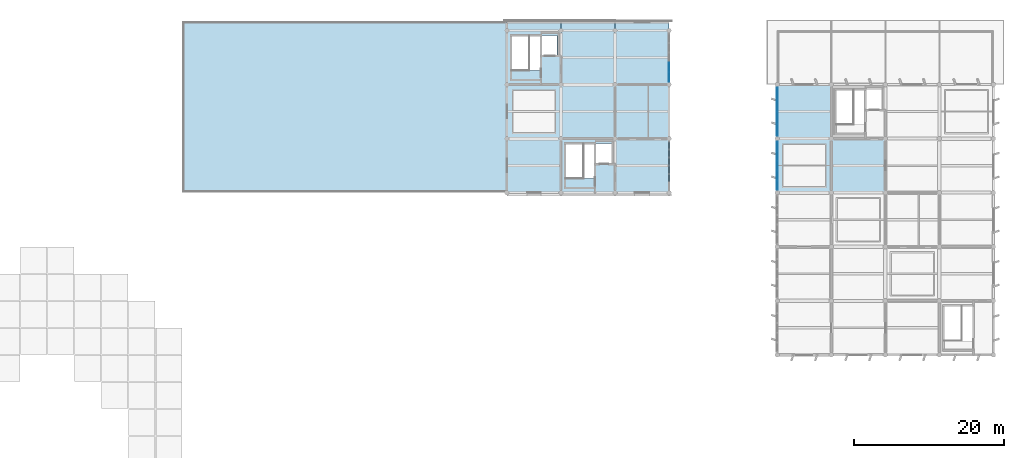
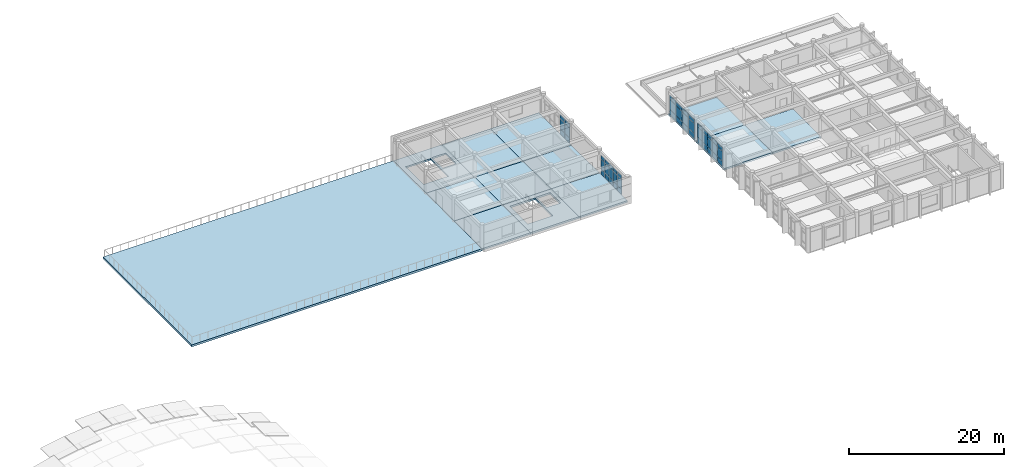
# One storey, part 10 of 16: 48 plates, 13 slabs, 4 elements without a shape of their own.
"""IFC4 building model written with IfcOpenShell, lengths in metres."""

from ifc_helpers import new_model, si_unit, direction, frame, origin, origin_2d, place, context, subcontext, project, spatial, polyline, rectangle, outline, extrude, material, layer, layer_set, type_object, element, aggregate, save


model = new_model("IFC4")

# Units and contexts
model_context = context("Model", 3, precision=1e-05, world=origin(), true_north=direction((0.0, 1.0)))
body_context = subcontext(model_context, "Body", "Model", "MODEL_VIEW")
ifc_project = project(units=[si_unit("LENGTHUNIT", "METRE"), si_unit("AREAUNIT", "SQUARE_METRE"), si_unit("VOLUMEUNIT", "CUBIC_METRE"), si_unit("PLANEANGLEUNIT", "RADIAN"), si_unit("MASSUNIT", "GRAM", prefix="KILO")], contexts=[model_context])

# Site, building, storey
site_placement = place(None, origin())
site = spatial("IfcSite", under=ifc_project, at=site_placement, CompositionType="ELEMENT")
building_placement = place(site_placement, origin())
building = spatial("IfcBuilding", under=site, at=building_placement, Name="Kavelor Marine Aquarium", CompositionType="ELEMENT")
storey_placement = place(building_placement, frame((0.0, 0.0, 21.60009765625)))
storey = spatial("IfcBuildingStorey", under=building, at=storey_placement, Name="L05", CompositionType="ELEMENT", Elevation=21.60009765625)

# Curtain wall, plates
ifc_material_1 = material(Name="Thermally Broken Aluminium and Low-E Glass", Category="aluminium")
ifc_layer_1 = layer(ifc_material_1, 0.179931640625)
ifc_layer_set_1 = layer_set([ifc_layer_1], Name="CW-SYS5")
curtain_wall_type_1 = type_object("IfcCurtainWallType", Name="CW-SYS5", PredefinedType="USERDEFINED", material=ifc_layer_set_1)
curtain_wall_1_placement = place(storey_placement, origin())
curtain_wall_1 = element("IfcCurtainWall", 1, at=curtain_wall_1_placement, inside=storey, type_object=curtain_wall_type_1, Name="cw:y:L05:14_12", ObjectType="Curtain Wall", PredefinedType="USERDEFINED")
ifc_material_2 = material(Name="Solar-Control Double Low-E Glazing", Category="glass")
ifc_layer_2 = layer(ifc_material_2, 0.08203125)
ifc_layer_set_2 = layer_set([ifc_layer_2], Name="CWP-29")
plate_type_1 = type_object("IfcPlateType", Name="CWP-29", PredefinedType="CURTAIN_PANEL", material=ifc_layer_set_2)
plate_1_placement = place(storey_placement, frame((104.0, 91.172607421875, 0.059814453125), z_axis=(0.0, 0.0, 1.0), x_axis=(0.0, 1.0, 0.0)))
plate_1 = element("IfcPlate", 2, at=plate_1_placement, type_object=plate_type_1, Name="CW05 panel 2.1", PredefinedType="CURTAIN_PANEL", context=body_context, shape_type="SweptSolid", body=[
    extrude(rectangle(XDim=1.02001953125, YDim=0.08203125, at=origin_2d()), origin(), (0.0, 0.0, 1.0), 0.81005859375),
])
plate_2_placement = place(storey_placement, frame((104.0, 91.172607421875, 0.9296875), z_axis=(0.0, 0.0, 1.0), x_axis=(0.0, 1.0, 0.0)))
plate_2 = element("IfcPlate", 3, at=plate_2_placement, type_object=plate_type_1, Name="CW05 panel 2.2", PredefinedType="CURTAIN_PANEL", context=body_context, shape_type="SweptSolid", body=[
    extrude(rectangle(XDim=1.02001953125, YDim=0.08203125, at=origin_2d()), origin(), (0.0, 0.0, 1.0), 1.510009765625),
])
plate_3_placement = place(storey_placement, frame((104.0, 91.172607421875, 2.499755859375), z_axis=(0.0, 0.0, 1.0), x_axis=(0.0, 1.0, 0.0)))
plate_3 = element("IfcPlate", 4, at=plate_3_placement, type_object=plate_type_1, Name="CW05 panel 2.3", PredefinedType="CURTAIN_PANEL", context=body_context, shape_type="SweptSolid", body=[
    extrude(rectangle(XDim=1.02001953125, YDim=0.08203125, at=origin_2d()), origin(), (0.0, 0.0, 1.0), 0.56005859375),
])
plate_4_placement = place(storey_placement, frame((104.0, 92.257568359375, 0.059814453125), z_axis=(0.0, 0.0, 1.0), x_axis=(0.0, 1.0, 0.0)))
plate_4 = element("IfcPlate", 5, at=plate_4_placement, type_object=plate_type_1, Name="CW05 panel 3.1", PredefinedType="CURTAIN_PANEL", context=body_context, shape_type="SweptSolid", body=[
    extrude(rectangle(XDim=1.02001953125, YDim=0.08203125, at=origin_2d()), origin(), (0.0, 0.0, 1.0), 0.81005859375),
])
plate_5_placement = place(storey_placement, frame((104.0, 92.257568359375, 0.9296875), z_axis=(0.0, 0.0, 1.0), x_axis=(0.0, 1.0, 0.0)))
plate_5 = element("IfcPlate", 6, at=plate_5_placement, type_object=plate_type_1, Name="CW05 panel 3.2", PredefinedType="CURTAIN_PANEL", context=body_context, shape_type="SweptSolid", body=[
    extrude(rectangle(XDim=1.02001953125, YDim=0.08203125, at=origin_2d()), origin(), (0.0, 0.0, 1.0), 1.510009765625),
])
plate_6_placement = place(storey_placement, frame((104.0, 92.257568359375, 2.499755859375), z_axis=(0.0, 0.0, 1.0), x_axis=(0.0, 1.0, 0.0)))
plate_6 = element("IfcPlate", 7, at=plate_6_placement, type_object=plate_type_1, Name="CW05 panel 3.3", PredefinedType="CURTAIN_PANEL", context=body_context, shape_type="SweptSolid", body=[
    extrude(rectangle(XDim=1.02001953125, YDim=0.08203125, at=origin_2d()), origin(), (0.0, 0.0, 1.0), 0.56005859375),
])
plate_7_placement = place(storey_placement, frame((104.0, 93.342529296875, 0.059814453125), z_axis=(0.0, 0.0, 1.0), x_axis=(0.0, 1.0, 0.0)))
plate_7 = element("IfcPlate", 8, at=plate_7_placement, type_object=plate_type_1, Name="CW05 panel 4.1", PredefinedType="CURTAIN_PANEL", context=body_context, shape_type="SweptSolid", body=[
    extrude(rectangle(XDim=1.02001953125, YDim=0.08203125, at=origin_2d()), origin(), (0.0, 0.0, 1.0), 0.81005859375),
])
plate_8_placement = place(storey_placement, frame((104.0, 93.342529296875, 0.9296875), z_axis=(0.0, 0.0, 1.0), x_axis=(0.0, 1.0, 0.0)))
plate_8 = element("IfcPlate", 9, at=plate_8_placement, type_object=plate_type_1, Name="CW05 panel 4.2", PredefinedType="CURTAIN_PANEL", context=body_context, shape_type="SweptSolid", body=[
    extrude(rectangle(XDim=1.02001953125, YDim=0.08203125, at=origin_2d()), origin(), (0.0, 0.0, 1.0), 1.510009765625),
])
plate_9_placement = place(storey_placement, frame((104.0, 93.342529296875, 2.499755859375), z_axis=(0.0, 0.0, 1.0), x_axis=(0.0, 1.0, 0.0)))
plate_9 = element("IfcPlate", 10, at=plate_9_placement, type_object=plate_type_1, Name="CW05 panel 4.3", PredefinedType="CURTAIN_PANEL", context=body_context, shape_type="SweptSolid", body=[
    extrude(rectangle(XDim=1.02001953125, YDim=0.08203125, at=origin_2d()), origin(), (0.0, 0.0, 1.0), 0.56005859375),
])
plate_10_placement = place(storey_placement, frame((104.0, 94.427490234375, 0.059814453125), z_axis=(0.0, 0.0, 1.0), x_axis=(0.0, 1.0, 0.0)))
plate_10 = element("IfcPlate", 11, at=plate_10_placement, type_object=plate_type_1, Name="CW05 panel 5.1", PredefinedType="CURTAIN_PANEL", context=body_context, shape_type="SweptSolid", body=[
    extrude(rectangle(XDim=1.02001953125, YDim=0.08203125, at=origin_2d()), origin(), (0.0, 0.0, 1.0), 0.81005859375),
])
plate_11_placement = place(storey_placement, frame((104.0, 94.427490234375, 0.9296875), z_axis=(0.0, 0.0, 1.0), x_axis=(0.0, 1.0, 0.0)))
plate_11 = element("IfcPlate", 12, at=plate_11_placement, type_object=plate_type_1, Name="CW05 panel 5.2", PredefinedType="CURTAIN_PANEL", context=body_context, shape_type="SweptSolid", body=[
    extrude(rectangle(XDim=1.02001953125, YDim=0.08203125, at=origin_2d()), origin(), (0.0, 0.0, 1.0), 1.510009765625),
])
plate_12_placement = place(storey_placement, frame((104.0, 94.427490234375, 2.499755859375), z_axis=(0.0, 0.0, 1.0), x_axis=(0.0, 1.0, 0.0)))
plate_12 = element("IfcPlate", 13, at=plate_12_placement, type_object=plate_type_1, Name="CW05 panel 5.3", PredefinedType="CURTAIN_PANEL", context=body_context, shape_type="SweptSolid", body=[
    extrude(rectangle(XDim=1.02001953125, YDim=0.08203125, at=origin_2d()), origin(), (0.0, 0.0, 1.0), 0.56005859375),
])
plate_13_placement = place(storey_placement, frame((104.0, 95.496337890625, 0.059814453125), z_axis=(0.0, 0.0, 1.0), x_axis=(0.0, 1.0, 0.0)))
plate_13 = element("IfcPlate", 14, at=plate_13_placement, type_object=plate_type_1, Name="CW05 panel 6.1", PredefinedType="CURTAIN_PANEL", context=body_context, shape_type="SweptSolid", body=[
    extrude(rectangle(XDim=0.987548828125, YDim=0.08203125, at=origin_2d()), origin(), (0.0, 0.0, 1.0), 0.81005859375),
])
plate_14_placement = place(storey_placement, frame((104.0, 95.496337890625, 0.9296875), z_axis=(0.0, 0.0, 1.0), x_axis=(0.0, 1.0, 0.0)))
plate_14 = element("IfcPlate", 15, at=plate_14_placement, type_object=plate_type_1, Name="CW05 panel 6.2", PredefinedType="CURTAIN_PANEL", context=body_context, shape_type="SweptSolid", body=[
    extrude(rectangle(XDim=0.987548828125, YDim=0.08203125, at=origin_2d()), origin(), (0.0, 0.0, 1.0), 1.510009765625),
])
plate_15_placement = place(storey_placement, frame((104.0, 95.496337890625, 2.499755859375), z_axis=(0.0, 0.0, 1.0), x_axis=(0.0, 1.0, 0.0)))
plate_15 = element("IfcPlate", 16, at=plate_15_placement, type_object=plate_type_1, Name="CW05 panel 6.3", PredefinedType="CURTAIN_PANEL", context=body_context, shape_type="SweptSolid", body=[
    extrude(rectangle(XDim=0.987548828125, YDim=0.08203125, at=origin_2d()), origin(), (0.0, 0.0, 1.0), 0.56005859375),
])
aggregate(curtain_wall_1, [plate_1, plate_2, plate_3, plate_4, plate_5, plate_6, plate_7, plate_8, plate_9, plate_10, plate_11, plate_12, plate_13, plate_14, plate_15])

ifc_material_3 = material(Name="Thermally Broken Aluminium and Low-E Glass", Category="aluminium")
ifc_layer_3 = layer(ifc_material_3, 0.18798828125)
ifc_layer_set_3 = layer_set([ifc_layer_3], Name="CW-SYS6")
curtain_wall_type_2 = type_object("IfcCurtainWallType", Name="CW-SYS6", PredefinedType="USERDEFINED", material=ifc_layer_set_3)
curtain_wall_2_placement = place(storey_placement, origin())
curtain_wall_2 = element("IfcCurtainWall", 17, at=curtain_wall_2_placement, inside=storey, type_object=curtain_wall_type_2, Name="cw:y:L05:14_14", ObjectType="Curtain Wall", PredefinedType="USERDEFINED")
ifc_material_4 = material(Name="Solar-Control Double Low-E Glazing", Category="glass")
ifc_layer_4 = layer(ifc_material_4, 0.083984375)
ifc_layer_set_4 = layer_set([ifc_layer_4], Name="CWP-30")
plate_type_2 = type_object("IfcPlateType", Name="CWP-30", PredefinedType="CURTAIN_PANEL", material=ifc_layer_set_4)
plate_16_placement = place(storey_placement, frame((104.0, 104.611083984375, 0.074951171875), z_axis=(0.0, 0.0, 1.0), x_axis=(0.0, 1.0, 0.0)))
plate_16 = element("IfcPlate", 18, at=plate_16_placement, type_object=plate_type_2, Name="CW06 panel 1.1", PredefinedType="CURTAIN_PANEL", context=body_context, shape_type="SweptSolid", body=[
    extrude(rectangle(XDim=1.2119140625, YDim=0.083984375, at=origin_2d()), origin(), (0.0, 0.0, 1.0), 0.78759765625),
])
plate_17_placement = place(storey_placement, frame((104.0, 104.611083984375, 0.937255859375), z_axis=(0.0, 0.0, 1.0), x_axis=(0.0, 1.0, 0.0)))
plate_17 = element("IfcPlate", 19, at=plate_17_placement, type_object=plate_type_2, Name="CW06 panel 1.2", PredefinedType="CURTAIN_PANEL", context=body_context, shape_type="SweptSolid", body=[
    extrude(rectangle(XDim=1.2119140625, YDim=0.083984375, at=origin_2d()), origin(), (0.0, 0.0, 1.0), 1.4951171875),
])
plate_18_placement = place(storey_placement, frame((104.0, 104.611083984375, 2.50732421875), z_axis=(0.0, 0.0, 1.0), x_axis=(0.0, 1.0, 0.0)))
plate_18 = element("IfcPlate", 20, at=plate_18_placement, type_object=plate_type_2, Name="CW06 panel 1.3", PredefinedType="CURTAIN_PANEL", context=body_context, shape_type="SweptSolid", body=[
    extrude(rectangle(XDim=1.2119140625, YDim=0.083984375, at=origin_2d()), origin(), (0.0, 0.0, 1.0), 0.53759765625),
])
plate_19_placement = place(storey_placement, frame((104.0, 105.89794921875, 0.074951171875), z_axis=(0.0, 0.0, 1.0), x_axis=(0.0, 1.0, 0.0)))
plate_19 = element("IfcPlate", 21, at=plate_19_placement, type_object=plate_type_2, Name="CW06 panel 2.1", PredefinedType="CURTAIN_PANEL", context=body_context, shape_type="SweptSolid", body=[
    extrude(rectangle(XDim=1.241943359375, YDim=0.083984375, at=origin_2d()), origin(), (0.0, 0.0, 1.0), 0.78759765625),
])
plate_20_placement = place(storey_placement, frame((104.0, 105.89794921875, 0.937255859375), z_axis=(0.0, 0.0, 1.0), x_axis=(0.0, 1.0, 0.0)))
plate_20 = element("IfcPlate", 22, at=plate_20_placement, type_object=plate_type_2, Name="CW06 panel 2.2", PredefinedType="CURTAIN_PANEL", context=body_context, shape_type="SweptSolid", body=[
    extrude(rectangle(XDim=1.241943359375, YDim=0.083984375, at=origin_2d()), origin(), (0.0, 0.0, 1.0), 1.4951171875),
])
plate_21_placement = place(storey_placement, frame((104.0, 105.89794921875, 2.50732421875), z_axis=(0.0, 0.0, 1.0), x_axis=(0.0, 1.0, 0.0)))
plate_21 = element("IfcPlate", 23, at=plate_21_placement, type_object=plate_type_2, Name="CW06 panel 2.3", PredefinedType="CURTAIN_PANEL", context=body_context, shape_type="SweptSolid", body=[
    extrude(rectangle(XDim=1.241943359375, YDim=0.083984375, at=origin_2d()), origin(), (0.0, 0.0, 1.0), 0.53759765625),
])
aggregate(curtain_wall_2, [plate_16, plate_17, plate_18, plate_19, plate_20, plate_21])

ifc_material_5 = material(Name="Thermally Broken Aluminium and Low-E Glass", Category="aluminium")
ifc_layer_5 = layer(ifc_material_5, 0.219970703125)
ifc_layer_set_5 = layer_set([ifc_layer_5], Name="CW-SYS10")
curtain_wall_type_3 = type_object("IfcCurtainWallType", Name="CW-SYS10", PredefinedType="USERDEFINED", material=ifc_layer_set_5)
curtain_wall_3_placement = place(storey_placement, origin())
curtain_wall_3 = element("IfcCurtainWall", 24, at=curtain_wall_3_placement, inside=storey, type_object=curtain_wall_type_3, Name="cw:y:L05:16_12", ObjectType="Curtain Wall", PredefinedType="USERDEFINED")
ifc_material_6 = material(Name="Laminated Cast Acrylic Viewing Glazing", Category="glass")
ifc_layer_6 = layer(ifc_material_6, 0.092041015625)
ifc_layer_set_6 = layer_set([ifc_layer_6], Name="CWP-34")
plate_type_3 = type_object("IfcPlateType", Name="CWP-34", PredefinedType="CURTAIN_PANEL", material=ifc_layer_set_6)
plate_22_placement = place(storey_placement, frame((118.39990234375, 95.38525390625, 0.059814453125), z_axis=(0.0, 0.0, 1.0), x_axis=(0.0, -1.0, 0.0)))
plate_22 = element("IfcPlate", 25, at=plate_22_placement, type_object=plate_type_3, Name="CW10 panel 1.1", PredefinedType="CURTAIN_PANEL", context=body_context, shape_type="SweptSolid", body=[
    extrude(rectangle(XDim=1.189453125, YDim=0.092041015625, at=origin_2d()), origin(), (0.0, 0.0, 1.0), 0.81005859375),
])
plate_23_placement = place(storey_placement, frame((118.39990234375, 95.38525390625, 0.9296875), z_axis=(0.0, 0.0, 1.0), x_axis=(0.0, -1.0, 0.0)))
plate_23 = element("IfcPlate", 26, at=plate_23_placement, type_object=plate_type_3, Name="CW10 panel 1.2", PredefinedType="CURTAIN_PANEL", context=body_context, shape_type="SweptSolid", body=[
    extrude(rectangle(XDim=1.189453125, YDim=0.092041015625, at=origin_2d()), origin(), (0.0, 0.0, 1.0), 1.510009765625),
])
plate_24_placement = place(storey_placement, frame((118.39990234375, 95.38525390625, 2.499755859375), z_axis=(0.0, 0.0, 1.0), x_axis=(0.0, -1.0, 0.0)))
plate_24 = element("IfcPlate", 27, at=plate_24_placement, type_object=plate_type_3, Name="CW10 panel 1.3", PredefinedType="CURTAIN_PANEL", context=body_context, shape_type="SweptSolid", body=[
    extrude(rectangle(XDim=1.189453125, YDim=0.092041015625, at=origin_2d()), origin(), (0.0, 0.0, 1.0), 0.56005859375),
])
plate_25_placement = place(storey_placement, frame((118.39990234375, 94.10205078125, 0.059814453125), z_axis=(0.0, 0.0, 1.0), x_axis=(0.0, -1.0, 0.0)))
plate_25 = element("IfcPlate", 28, at=plate_25_placement, type_object=plate_type_3, Name="CW10 panel 2.1", PredefinedType="CURTAIN_PANEL", context=body_context, shape_type="SweptSolid", body=[
    extrude(rectangle(XDim=1.22705078125, YDim=0.092041015625, at=origin_2d()), origin(), (0.0, 0.0, 1.0), 0.81005859375),
])
plate_26_placement = place(storey_placement, frame((118.39990234375, 94.10205078125, 0.9296875), z_axis=(0.0, 0.0, 1.0), x_axis=(0.0, -1.0, 0.0)))
plate_26 = element("IfcPlate", 29, at=plate_26_placement, type_object=plate_type_3, Name="CW10 panel 2.2", PredefinedType="CURTAIN_PANEL", context=body_context, shape_type="SweptSolid", body=[
    extrude(rectangle(XDim=1.22705078125, YDim=0.092041015625, at=origin_2d()), origin(), (0.0, 0.0, 1.0), 1.510009765625),
])
plate_27_placement = place(storey_placement, frame((118.39990234375, 94.10205078125, 2.499755859375), z_axis=(0.0, 0.0, 1.0), x_axis=(0.0, -1.0, 0.0)))
plate_27 = element("IfcPlate", 30, at=plate_27_placement, type_object=plate_type_3, Name="CW10 panel 2.3", PredefinedType="CURTAIN_PANEL", context=body_context, shape_type="SweptSolid", body=[
    extrude(rectangle(XDim=1.22705078125, YDim=0.092041015625, at=origin_2d()), origin(), (0.0, 0.0, 1.0), 0.56005859375),
])
plate_28_placement = place(storey_placement, frame((118.39990234375, 92.800048828125, 0.059814453125), z_axis=(0.0, 0.0, 1.0), x_axis=(0.0, -1.0, 0.0)))
plate_28 = element("IfcPlate", 31, at=plate_28_placement, type_object=plate_type_3, Name="CW10 panel 3.1", PredefinedType="CURTAIN_PANEL", context=body_context, shape_type="SweptSolid", body=[
    extrude(rectangle(XDim=1.22705078125, YDim=0.092041015625, at=origin_2d()), origin(), (0.0, 0.0, 1.0), 0.81005859375),
])
plate_29_placement = place(storey_placement, frame((118.39990234375, 92.800048828125, 0.9296875), z_axis=(0.0, 0.0, 1.0), x_axis=(0.0, -1.0, 0.0)))
plate_29 = element("IfcPlate", 32, at=plate_29_placement, type_object=plate_type_3, Name="CW10 panel 3.2", PredefinedType="CURTAIN_PANEL", context=body_context, shape_type="SweptSolid", body=[
    extrude(rectangle(XDim=1.22705078125, YDim=0.092041015625, at=origin_2d()), origin(), (0.0, 0.0, 1.0), 1.510009765625),
])
plate_30_placement = place(storey_placement, frame((118.39990234375, 92.800048828125, 2.499755859375), z_axis=(0.0, 0.0, 1.0), x_axis=(0.0, -1.0, 0.0)))
plate_30 = element("IfcPlate", 33, at=plate_30_placement, type_object=plate_type_3, Name="CW10 panel 3.3", PredefinedType="CURTAIN_PANEL", context=body_context, shape_type="SweptSolid", body=[
    extrude(rectangle(XDim=1.22705078125, YDim=0.092041015625, at=origin_2d()), origin(), (0.0, 0.0, 1.0), 0.56005859375),
])
plate_31_placement = place(storey_placement, frame((118.39990234375, 91.498046875, 0.059814453125), z_axis=(0.0, 0.0, 1.0), x_axis=(0.0, -1.0, 0.0)))
plate_31 = element("IfcPlate", 34, at=plate_31_placement, type_object=plate_type_3, Name="CW10 panel 4.1", PredefinedType="CURTAIN_PANEL", context=body_context, shape_type="SweptSolid", body=[
    extrude(rectangle(XDim=1.22705078125, YDim=0.092041015625, at=origin_2d()), origin(), (0.0, 0.0, 1.0), 0.81005859375),
])
plate_32_placement = place(storey_placement, frame((118.39990234375, 91.498046875, 0.9296875), z_axis=(0.0, 0.0, 1.0), x_axis=(0.0, -1.0, 0.0)))
plate_32 = element("IfcPlate", 35, at=plate_32_placement, type_object=plate_type_3, Name="CW10 panel 4.2", PredefinedType="CURTAIN_PANEL", context=body_context, shape_type="SweptSolid", body=[
    extrude(rectangle(XDim=1.22705078125, YDim=0.092041015625, at=origin_2d()), origin(), (0.0, 0.0, 1.0), 1.510009765625),
])
plate_33_placement = place(storey_placement, frame((118.39990234375, 91.498046875, 2.499755859375), z_axis=(0.0, 0.0, 1.0), x_axis=(0.0, -1.0, 0.0)))
plate_33 = element("IfcPlate", 36, at=plate_33_placement, type_object=plate_type_3, Name="CW10 panel 4.3", PredefinedType="CURTAIN_PANEL", context=body_context, shape_type="SweptSolid", body=[
    extrude(rectangle(XDim=1.22705078125, YDim=0.092041015625, at=origin_2d()), origin(), (0.0, 0.0, 1.0), 0.56005859375),
])
plate_34_placement = place(storey_placement, frame((118.39990234375, 90.21484375, 0.059814453125), z_axis=(0.0, 0.0, 1.0), x_axis=(0.0, -1.0, 0.0)))
plate_34 = element("IfcPlate", 37, at=plate_34_placement, type_object=plate_type_3, Name="CW10 panel 5.1", PredefinedType="CURTAIN_PANEL", context=body_context, shape_type="SweptSolid", body=[
    extrude(rectangle(XDim=1.189453125, YDim=0.092041015625, at=origin_2d()), origin(), (0.0, 0.0, 1.0), 0.81005859375),
])
plate_35_placement = place(storey_placement, frame((118.39990234375, 90.21484375, 0.9296875), z_axis=(0.0, 0.0, 1.0), x_axis=(0.0, -1.0, 0.0)))
plate_35 = element("IfcPlate", 38, at=plate_35_placement, type_object=plate_type_3, Name="CW10 panel 5.2", PredefinedType="CURTAIN_PANEL", context=body_context, shape_type="SweptSolid", body=[
    extrude(rectangle(XDim=1.189453125, YDim=0.092041015625, at=origin_2d()), origin(), (0.0, 0.0, 1.0), 1.510009765625),
])
plate_36_placement = place(storey_placement, frame((118.39990234375, 90.21484375, 2.499755859375), z_axis=(0.0, 0.0, 1.0), x_axis=(0.0, -1.0, 0.0)))
plate_36 = element("IfcPlate", 39, at=plate_36_placement, type_object=plate_type_3, Name="CW10 panel 5.3", PredefinedType="CURTAIN_PANEL", context=body_context, shape_type="SweptSolid", body=[
    extrude(rectangle(XDim=1.189453125, YDim=0.092041015625, at=origin_2d()), origin(), (0.0, 0.0, 1.0), 0.56005859375),
])
aggregate(curtain_wall_3, [plate_22, plate_23, plate_24, plate_25, plate_26, plate_27, plate_28, plate_29, plate_30, plate_31, plate_32, plate_33, plate_34, plate_35, plate_36])

ifc_material_7 = material(Name="Thermally Broken Aluminium and Low-E Glass", Category="aluminium")
ifc_layer_7 = layer(ifc_material_7, 0.22802734375)
ifc_layer_set_7 = layer_set([ifc_layer_7], Name="CW-SYS11")
curtain_wall_type_4 = type_object("IfcCurtainWallType", Name="CW-SYS11", PredefinedType="USERDEFINED", material=ifc_layer_set_7)
curtain_wall_4_placement = place(storey_placement, origin())
curtain_wall_4 = element("IfcCurtainWall", 40, at=curtain_wall_4_placement, inside=storey, type_object=curtain_wall_type_4, Name="cw:y:L05:16_13", ObjectType="Curtain Wall", PredefinedType="USERDEFINED")
ifc_material_8 = material(Name="Laminated Cast Acrylic Viewing Glazing", Category="glass")
ifc_layer_8 = layer(ifc_material_8, 0.093994140625)
ifc_layer_set_8 = layer_set([ifc_layer_8], Name="CWP-35")
plate_type_4 = type_object("IfcPlateType", Name="CWP-35", PredefinedType="CURTAIN_PANEL", material=ifc_layer_set_8)
plate_37_placement = place(storey_placement, frame((118.39990234375, 102.425048828125, 0.059814453125), z_axis=(0.0, 0.0, 1.0), x_axis=(0.0, -1.0, 0.0)))
plate_37 = element("IfcPlate", 41, at=plate_37_placement, type_object=plate_type_4, Name="CW11 panel 1.1", PredefinedType="CURTAIN_PANEL", context=body_context, shape_type="SweptSolid", body=[
    extrude(rectangle(XDim=1.530029296875, YDim=0.093994140625, at=origin_2d()), origin(), (0.0, 0.0, 1.0), 0.81005859375),
])
plate_38_placement = place(storey_placement, frame((118.39990234375, 102.425048828125, 0.9296875), z_axis=(0.0, 0.0, 1.0), x_axis=(0.0, -1.0, 0.0)))
plate_38 = element("IfcPlate", 42, at=plate_38_placement, type_object=plate_type_4, Name="CW11 panel 1.2", PredefinedType="CURTAIN_PANEL", context=body_context, shape_type="SweptSolid", body=[
    extrude(rectangle(XDim=1.530029296875, YDim=0.093994140625, at=origin_2d()), origin(), (0.0, 0.0, 1.0), 1.510009765625),
])
plate_39_placement = place(storey_placement, frame((118.39990234375, 102.425048828125, 2.499755859375), z_axis=(0.0, 0.0, 1.0), x_axis=(0.0, -1.0, 0.0)))
plate_39 = element("IfcPlate", 43, at=plate_39_placement, type_object=plate_type_4, Name="CW11 panel 1.3", PredefinedType="CURTAIN_PANEL", context=body_context, shape_type="SweptSolid", body=[
    extrude(rectangle(XDim=1.530029296875, YDim=0.093994140625, at=origin_2d()), origin(), (0.0, 0.0, 1.0), 0.56005859375),
])
plate_40_placement = place(storey_placement, frame((118.39990234375, 100.813720703125, 0.059814453125), z_axis=(0.0, 0.0, 1.0), x_axis=(0.0, -1.0, 0.0)))
plate_40 = element("IfcPlate", 44, at=plate_40_placement, type_object=plate_type_4, Name="CW11 panel 2.1", PredefinedType="CURTAIN_PANEL", context=body_context, shape_type="SweptSolid", body=[
    extrude(rectangle(XDim=1.5625, YDim=0.093994140625, at=origin_2d()), origin(), (0.0, 0.0, 1.0), 0.81005859375),
])
plate_41_placement = place(storey_placement, frame((118.39990234375, 100.813720703125, 0.9296875), z_axis=(0.0, 0.0, 1.0), x_axis=(0.0, -1.0, 0.0)))
plate_41 = element("IfcPlate", 45, at=plate_41_placement, type_object=plate_type_4, Name="CW11 panel 2.2", PredefinedType="CURTAIN_PANEL", context=body_context, shape_type="SweptSolid", body=[
    extrude(rectangle(XDim=1.5625, YDim=0.093994140625, at=origin_2d()), origin(), (0.0, 0.0, 1.0), 1.510009765625),
])
plate_42_placement = place(storey_placement, frame((118.39990234375, 100.813720703125, 2.499755859375), z_axis=(0.0, 0.0, 1.0), x_axis=(0.0, -1.0, 0.0)))
plate_42 = element("IfcPlate", 46, at=plate_42_placement, type_object=plate_type_4, Name="CW11 panel 2.3", PredefinedType="CURTAIN_PANEL", context=body_context, shape_type="SweptSolid", body=[
    extrude(rectangle(XDim=1.5625, YDim=0.093994140625, at=origin_2d()), origin(), (0.0, 0.0, 1.0), 0.56005859375),
])
plate_43_placement = place(storey_placement, frame((118.39990234375, 99.186279296875, 0.059814453125), z_axis=(0.0, 0.0, 1.0), x_axis=(0.0, -1.0, 0.0)))
plate_43 = element("IfcPlate", 47, at=plate_43_placement, type_object=plate_type_4, Name="CW11 panel 3.1", PredefinedType="CURTAIN_PANEL", context=body_context, shape_type="SweptSolid", body=[
    extrude(rectangle(XDim=1.5625, YDim=0.093994140625, at=origin_2d()), origin(), (0.0, 0.0, 1.0), 0.81005859375),
])
plate_44_placement = place(storey_placement, frame((118.39990234375, 99.186279296875, 0.9296875), z_axis=(0.0, 0.0, 1.0), x_axis=(0.0, -1.0, 0.0)))
plate_44 = element("IfcPlate", 48, at=plate_44_placement, type_object=plate_type_4, Name="CW11 panel 3.2", PredefinedType="CURTAIN_PANEL", context=body_context, shape_type="SweptSolid", body=[
    extrude(rectangle(XDim=1.5625, YDim=0.093994140625, at=origin_2d()), origin(), (0.0, 0.0, 1.0), 1.510009765625),
])
plate_45_placement = place(storey_placement, frame((118.39990234375, 99.186279296875, 2.499755859375), z_axis=(0.0, 0.0, 1.0), x_axis=(0.0, -1.0, 0.0)))
plate_45 = element("IfcPlate", 49, at=plate_45_placement, type_object=plate_type_4, Name="CW11 panel 3.3", PredefinedType="CURTAIN_PANEL", context=body_context, shape_type="SweptSolid", body=[
    extrude(rectangle(XDim=1.5625, YDim=0.093994140625, at=origin_2d()), origin(), (0.0, 0.0, 1.0), 0.56005859375),
])
plate_46_placement = place(storey_placement, frame((118.39990234375, 97.574951171875, 0.059814453125), z_axis=(0.0, 0.0, 1.0), x_axis=(0.0, -1.0, 0.0)))
plate_46 = element("IfcPlate", 50, at=plate_46_placement, type_object=plate_type_4, Name="CW11 panel 4.1", PredefinedType="CURTAIN_PANEL", context=body_context, shape_type="SweptSolid", body=[
    extrude(rectangle(XDim=1.530029296875, YDim=0.093994140625, at=origin_2d()), origin(), (0.0, 0.0, 1.0), 0.81005859375),
])
plate_47_placement = place(storey_placement, frame((118.39990234375, 97.574951171875, 0.9296875), z_axis=(0.0, 0.0, 1.0), x_axis=(0.0, -1.0, 0.0)))
plate_47 = element("IfcPlate", 51, at=plate_47_placement, type_object=plate_type_4, Name="CW11 panel 4.2", PredefinedType="CURTAIN_PANEL", context=body_context, shape_type="SweptSolid", body=[
    extrude(rectangle(XDim=1.530029296875, YDim=0.093994140625, at=origin_2d()), origin(), (0.0, 0.0, 1.0), 1.510009765625),
])
plate_48_placement = place(storey_placement, frame((118.39990234375, 97.574951171875, 2.499755859375), z_axis=(0.0, 0.0, 1.0), x_axis=(0.0, -1.0, 0.0)))
plate_48 = element("IfcPlate", 52, at=plate_48_placement, type_object=plate_type_4, Name="CW11 panel 4.3", PredefinedType="CURTAIN_PANEL", context=body_context, shape_type="SweptSolid", body=[
    extrude(rectangle(XDim=1.530029296875, YDim=0.093994140625, at=origin_2d()), origin(), (0.0, 0.0, 1.0), 0.56005859375),
])
aggregate(curtain_wall_4, [plate_37, plate_38, plate_39, plate_40, plate_41, plate_42, plate_43, plate_44, plate_45, plate_46, plate_47, plate_48])

# Slabs
ifc_material_9 = material(Name="Concrete C40/50", Category="concrete")
ifc_layer_9 = layer(ifc_material_9, 0.280029296875)
ifc_layer_set_9 = layer_set([ifc_layer_9], Name="SL-FL2")
slab_type_1 = type_object("IfcSlabType", Name="SL-FL2", PredefinedType="FLOOR", material=ifc_layer_set_9)
slab_1_placement = place(storey_placement, frame((0.0, 0.0, -0.280029296875)))
element("IfcSlab", 53, at=slab_1_placement, inside=storey, type_object=slab_type_1, Name="slab:L05:12_12", PredefinedType="FLOOR", context=body_context, shape_type="SweptSolid", body=[
    extrude(outline(polyline([(89.60009765625, 89.199951171875), (96.800048828125, 89.199951171875), (96.800048828125, 96.39990234375), (89.60009765625, 96.39990234375), (89.60009765625, 89.199951171875)]), holes=[polyline([(90.280029296875, 91.0830078125), (94.0, 91.0830078125), (94.0, 95.669921875), (90.280029296875, 95.669921875), (90.280029296875, 91.0830078125)]), polyline([(94.260009765625, 93.050048828125), (96.300048828125, 93.050048828125), (96.300048828125, 95.75), (94.199951171875, 95.75), (94.260009765625, 93.050048828125)])]), origin(), (0.0, 0.0, 1.0), 0.280029296875),
])
slab_2_placement = place(storey_placement, frame((0.0, 0.0, -0.280029296875)))
element("IfcSlab", 54, at=slab_2_placement, inside=storey, type_object=slab_type_1, Name="slab:L05:12_13", PredefinedType="FLOOR", context=body_context, shape_type="SweptSolid", body=[
    extrude(outline(polyline([(89.60009765625, 96.39990234375), (96.800048828125, 96.39990234375), (96.800048828125, 103.60009765625), (89.60009765625, 103.60009765625), (89.60009765625, 96.39990234375)])), origin(), (0.0, 0.0, 1.0), 0.280029296875),
])
slab_3_placement = place(storey_placement, frame((0.0, 0.0, -0.280029296875)))
element("IfcSlab", 55, at=slab_3_placement, inside=storey, type_object=slab_type_1, Name="slab:L05:12_14", PredefinedType="FLOOR", context=body_context, shape_type="SweptSolid", body=[
    extrude(outline(polyline([(89.60009765625, 103.60009765625), (96.800048828125, 103.60009765625), (96.800048828125, 112.0400390625), (89.60009765625, 112.0400390625), (89.60009765625, 103.60009765625)])), origin(), (0.0, 0.0, 1.0), 0.280029296875),
])
slab_4_placement = place(storey_placement, frame((0.0, 0.0, -0.280029296875)))
element("IfcSlab", 56, at=slab_4_placement, inside=storey, type_object=slab_type_1, Name="slab:L05:16_12", PredefinedType="FLOOR", context=body_context, shape_type="SweptSolid", body=[
    extrude(outline(polyline([(118.39990234375, 89.199951171875), (125.60009765625, 89.199951171875), (125.60009765625, 96.39990234375), (118.39990234375, 96.39990234375), (118.39990234375, 89.199951171875)])), origin(), (0.0, 0.0, 1.0), 0.280029296875),
])
slab_5_placement = place(storey_placement, frame((0.0, 0.0, -0.280029296875)))
element("IfcSlab", 57, at=slab_5_placement, inside=storey, type_object=slab_type_1, Name="slab:L05:16_13", PredefinedType="FLOOR", context=body_context, shape_type="SweptSolid", body=[
    extrude(outline(polyline([(118.39990234375, 96.39990234375), (125.60009765625, 96.39990234375), (125.60009765625, 103.60009765625), (118.39990234375, 103.60009765625), (118.39990234375, 96.39990234375)])), origin(), (0.0, 0.0, 1.0), 0.280029296875),
])
ifc_material_10 = material(Name="Concrete C40/50", Category="concrete")
ifc_layer_10 = layer(ifc_material_10, 0.260009765625)
ifc_layer_set_10 = layer_set([ifc_layer_10], Name="SL-FL3")
slab_type_2 = type_object("IfcSlabType", Name="SL-FL3", PredefinedType="FLOOR", material=ifc_layer_set_10)
slab_6_placement = place(storey_placement, frame((0.0, 0.0, -0.260009765625)))
element("IfcSlab", 58, at=slab_6_placement, inside=storey, type_object=slab_type_2, Name="slab:L05:11_12", PredefinedType="FLOOR", context=body_context, shape_type="SweptSolid", body=[
    extrude(outline(polyline([(82.39990234375, 89.199951171875), (89.60009765625, 89.199951171875), (89.60009765625, 96.39990234375), (82.39990234375, 96.39990234375), (82.39990234375, 89.199951171875)])), origin(), (0.0, 0.0, 1.0), 0.260009765625),
])
slab_7_placement = place(storey_placement, frame((0.0, 0.0, -0.260009765625)))
element("IfcSlab", 59, at=slab_7_placement, inside=storey, type_object=slab_type_2, Name="slab:L05:11_13", PredefinedType="FLOOR", context=body_context, shape_type="SweptSolid", body=[
    extrude(outline(polyline([(82.39990234375, 96.39990234375), (89.60009765625, 96.39990234375), (89.60009765625, 103.60009765625), (82.39990234375, 103.60009765625), (82.39990234375, 96.39990234375)])), origin(), (0.0, 0.0, 1.0), 0.260009765625),
])
slab_8_placement = place(storey_placement, frame((0.0, 0.0, -0.260009765625)))
element("IfcSlab", 60, at=slab_8_placement, inside=storey, type_object=slab_type_2, Name="slab:L05:11_14", PredefinedType="FLOOR", context=body_context, shape_type="SweptSolid", body=[
    extrude(outline(polyline([(82.39990234375, 103.60009765625), (89.60009765625, 103.60009765625), (89.60009765625, 112.0400390625), (82.39990234375, 112.0400390625), (82.39990234375, 103.60009765625)]), holes=[polyline([(83.080078125, 105.48291015625), (86.800048828125, 105.48291015625), (86.800048828125, 110.070068359375), (83.080078125, 110.070068359375), (83.080078125, 105.48291015625)]), polyline([(87.06005859375, 107.449951171875), (89.10009765625, 107.449951171875), (89.10009765625, 110.14990234375), (87.0, 110.14990234375), (87.06005859375, 107.449951171875)])]), origin(), (0.0, 0.0, 1.0), 0.260009765625),
])
slab_9_placement = place(storey_placement, frame((0.0, 0.0, -0.260009765625)))
element("IfcSlab", 61, at=slab_9_placement, inside=storey, type_object=slab_type_2, Name="slab:L05:13_12", PredefinedType="FLOOR", context=body_context, shape_type="SweptSolid", body=[
    extrude(outline(polyline([(96.800048828125, 89.199951171875), (104.0, 89.199951171875), (104.0, 96.39990234375), (96.800048828125, 96.39990234375), (96.800048828125, 89.199951171875)])), origin(), (0.0, 0.0, 1.0), 0.260009765625),
])
slab_10_placement = place(storey_placement, frame((0.0, 0.0, -0.260009765625)))
element("IfcSlab", 62, at=slab_10_placement, inside=storey, type_object=slab_type_2, Name="slab:L05:13_13", PredefinedType="FLOOR", context=body_context, shape_type="SweptSolid", body=[
    extrude(outline(polyline([(96.800048828125, 96.39990234375), (104.0, 96.39990234375), (104.0, 103.60009765625), (96.800048828125, 103.60009765625), (96.800048828125, 96.39990234375)])), origin(), (0.0, 0.0, 1.0), 0.260009765625),
])
slab_11_placement = place(storey_placement, frame((0.0, 0.0, -0.260009765625)))
element("IfcSlab", 63, at=slab_11_placement, inside=storey, type_object=slab_type_2, Name="slab:L05:13_14", PredefinedType="FLOOR", context=body_context, shape_type="SweptSolid", body=[
    extrude(outline(polyline([(96.800048828125, 103.60009765625), (104.0, 103.60009765625), (104.0, 112.0400390625), (96.800048828125, 112.0400390625), (96.800048828125, 103.60009765625)])), origin(), (0.0, 0.0, 1.0), 0.260009765625),
])
slab_12_placement = place(storey_placement, frame((0.0, 0.0, -0.260009765625)))
element("IfcSlab", 64, at=slab_12_placement, inside=storey, type_object=slab_type_2, Name="slab:L05:17_12", PredefinedType="FLOOR", context=body_context, shape_type="SweptSolid", body=[
    extrude(outline(polyline([(125.60009765625, 89.199951171875), (132.800048828125, 89.199951171875), (132.800048828125, 96.39990234375), (125.60009765625, 96.39990234375), (125.60009765625, 89.199951171875)])), origin(), (0.0, 0.0, 1.0), 0.260009765625),
])
ifc_material_11 = material(Name="Concrete C45/55", Category="concrete")
ifc_layer_11 = layer(ifc_material_11, 0.320068359375)
ifc_layer_set_11 = layer_set([ifc_layer_11], Name="SL-TER")
slab_type_3 = type_object("IfcSlabType", Name="SL-TER", PredefinedType="FLOOR", material=ifc_layer_set_11)
slab_13_placement = place(storey_placement, frame((0.0, 0.0, -0.320068359375)))
element("IfcSlab", 65, at=slab_13_placement, inside=storey, type_object=slab_type_3, Name="Public Rooftop Terrace Slab TRS1", PredefinedType="FLOOR", context=body_context, shape_type="SweptSolid", body=[
    extrude(outline(polyline([(39.199951171875, 89.199951171875), (82.39990234375, 89.199951171875), (82.39990234375, 112.0400390625), (39.199951171875, 112.0400390625), (39.199951171875, 89.199951171875)])), origin(), (0.0, 0.0, 1.0), 0.320068359375),
])

save(model, "model.ifc")
